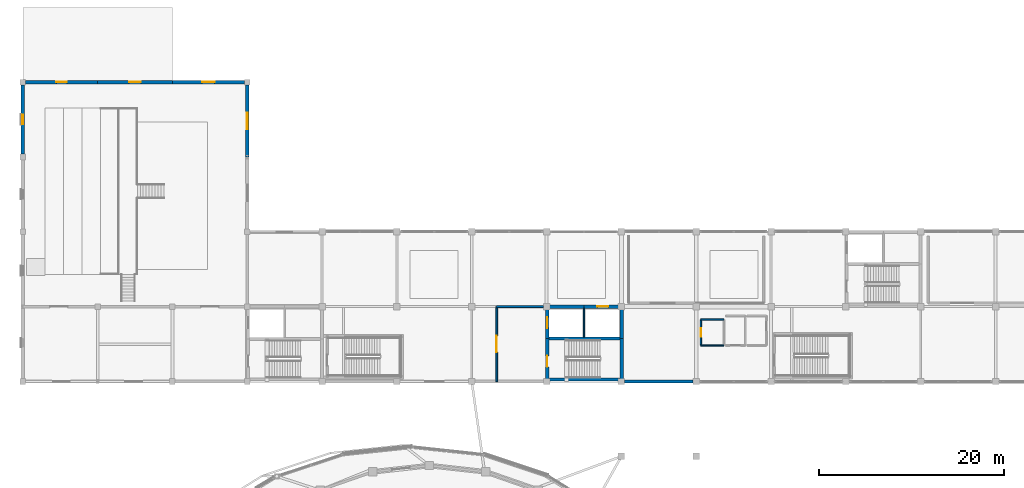
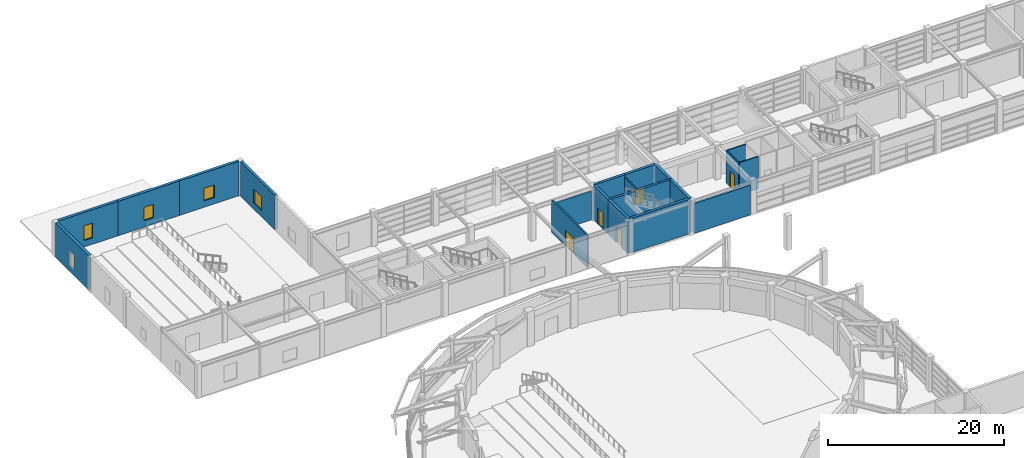
# One storey, part 41 of 56: 20 walls, 5 doors, 5 windows, 10 openings.
"""IFC4 building model written with IfcOpenShell, lengths in metres."""

from ifc_helpers import new_model, si_unit, direction, frame, frame_2d, origin, place, context, subcontext, project, spatial, rectangle, extrude, material, layer, layer_set, type_object, element, fill, save


model = new_model("IFC4")

# Units and contexts
model_context = context("Model", 3, precision=1e-05, world=origin(), true_north=direction((0.0, 1.0)))
body_context = subcontext(model_context, "Body", "Model", "MODEL_VIEW")
ifc_project = project(units=[si_unit("LENGTHUNIT", "METRE"), si_unit("AREAUNIT", "SQUARE_METRE"), si_unit("VOLUMEUNIT", "CUBIC_METRE"), si_unit("PLANEANGLEUNIT", "RADIAN"), si_unit("MASSUNIT", "GRAM", prefix="KILO")], contexts=[model_context])

# Site, building, storey
site_placement = place(None, origin())
site = spatial("IfcSite", under=ifc_project, at=site_placement, CompositionType="ELEMENT")
building_placement = place(site_placement, origin())
building = spatial("IfcBuilding", under=site, at=building_placement, Name="Parian Resonance Hall", CompositionType="ELEMENT")
storey_placement = place(building_placement, frame((0.0, 0.0, 5.39990234375)))
storey = spatial("IfcBuildingStorey", under=building, at=storey_placement, Name="L01", CompositionType="ELEMENT", Elevation=5.39990234375)

# Wall
ifc_material_1 = material(Name="Concrete C40/50", Category="concrete")
ifc_layer_1 = layer(ifc_material_1, 0.31005859375)
ifc_layer_set_1 = layer_set([ifc_layer_1], Name="Concrete C40/50")
wall_type_1 = type_object("IfcWallType", Name="CW310", PredefinedType="SHEAR", material=ifc_layer_set_1)
wall_1_placement = place(storey_placement, frame((56.77001953125, 77.550048828125, 0.0), z_axis=(0.0, 0.0, 1.0), x_axis=(1.0, 0.0, 0.0)))
element("IfcWall", 1, at=wall_1_placement, inside=storey, type_object=wall_type_1, Name="Core K1 stair-lift divider wall L01", PredefinedType="SHEAR", context=body_context, shape_type="SweptSolid", body=[
    extrude(rectangle(XDim=8.06005859375, YDim=0.31005859375, at=frame_2d((4.030029296875, 0.0))), origin(), (0.0, 0.0, 1.0), 4.800048828125),
])

# Wall, opening, door
ifc_material_2 = material(Name="Concrete C40/50", Category="concrete")
ifc_layer_2 = layer(ifc_material_2, 0.35009765625)
ifc_layer_set_2 = layer_set([ifc_layer_2], Name="Concrete C40/50")
wall_type_2 = type_object("IfcWallType", Name="CW350", PredefinedType="SHEAR", material=ifc_layer_set_2)
wall_2_placement = place(storey_placement, frame((56.77001953125, 73.1298828125, 0.0), z_axis=(0.0, 0.0, 1.0), x_axis=(0.0, 1.0, 0.0)))
wall_2 = element("IfcWall", 2, at=wall_2_placement, inside=storey, type_object=wall_type_2, Name="Core K1 stairwell west shear wall L01", PredefinedType="SHEAR", context=body_context, shape_type="SweptSolid", body=[
    extrude(rectangle(XDim=4.420166015625, YDim=0.35009765625, at=frame_2d((2.2099609375, 0.0))), origin(), (0.0, 0.0, 1.0), 4.800048828125),
])
opening_1_placement = place(wall_2_placement, frame((1.35009765625, 0.0, 0.0)))
opening_1 = element("IfcOpeningElement", 3, at=opening_1_placement, cuts=wall_2, Name="Opening FD-01", PredefinedType="OPENING", context=body_context, shape_type="SweptSolid", body=[
    extrude(rectangle(XDim=1.199951171875, YDim=2.25, at=frame_2d((0.60009765625, 1.125))), frame((0.0, 0.18505859375, 0.0), z_axis=(0.0, -1.0, 0.0), x_axis=(1.0, 0.0, 0.0)), (0.0, 0.0, 1.0), 0.3701171875),
])
ifc_material_3 = material(Name="Fire-rated acoustic steel and narra timber door", Category="steel")
door_type_1 = type_object("IfcDoorType", Name="FD-01", OperationType="NOTDEFINED", PredefinedType="DOOR", material=ifc_material_3)
door_1_placement = place(opening_1_placement, origin())
door_1 = element("IfcDoor", 4, at=door_1_placement, inside=storey, type_object=door_type_1, Name="Exit stair ST-01 fire door L01", OperationType="SINGLE_SWING_LEFT", OverallHeight=2.25, OverallWidth=1.199951171875, PredefinedType="DOOR", context=body_context, shape_type="SweptSolid", body=[
    extrude(rectangle(XDim=1.199951171875, YDim=2.25, at=frame_2d((0.60009765625, 1.125))), frame((0.0, 0.02490234375, 0.0), z_axis=(0.0, -1.0, 0.0), x_axis=(1.0, 0.0, 0.0)), (0.0, 0.0, 1.0), 0.050048828125),
])
fill(opening_1, door_1)

wall_3_placement = place(storey_placement, frame((56.77001953125, 77.550048828125, 0.0), z_axis=(0.0, 0.0, 1.0), x_axis=(0.0, 1.0, 0.0)))
wall_3 = element("IfcWall", 5, at=wall_3_placement, inside=storey, type_object=wall_type_2, Name="Core K1 lift shaft west shear wall L01", PredefinedType="SHEAR", context=body_context, shape_type="SweptSolid", body=[
    extrude(rectangle(XDim=3.449951171875, YDim=0.35009765625, at=frame_2d((1.72509765625, 0.0))), origin(), (0.0, 0.0, 1.0), 4.800048828125),
])
opening_2_placement = place(wall_3_placement, frame((1.125, 0.0, 0.0)))
opening_2 = element("IfcOpeningElement", 6, at=opening_2_placement, cuts=wall_3, Name="Opening LD-01", PredefinedType="OPENING", context=body_context, shape_type="SweptSolid", body=[
    extrude(rectangle(XDim=1.199951171875, YDim=2.199951171875, at=frame_2d((0.60009765625, 1.10009765625))), frame((0.0, 0.18505859375, 0.0), z_axis=(0.0, -1.0, 0.0), x_axis=(1.0, 0.0, 0.0)), (0.0, 0.0, 1.0), 0.3701171875),
])
ifc_material_4 = material(Name="Stainless steel and bronze elevator cab", Category="steel")
door_type_2 = type_object("IfcDoorType", Name="DOOR-LIFT-1200x2200", OperationType="SLIDING_TO_LEFT", PredefinedType="DOOR", material=ifc_material_4)
door_2_placement = place(opening_2_placement, origin())
door_2 = element("IfcDoor", 7, at=door_2_placement, inside=storey, type_object=door_type_2, Name="Lift LF-01 sliding landing door L01", OperationType="SLIDING_TO_LEFT", OverallHeight=2.199951171875, OverallWidth=1.199951171875, PredefinedType="DOOR", context=body_context, shape_type="SweptSolid", body=[
    extrude(rectangle(XDim=1.199951171875, YDim=2.199951171875, at=frame_2d((0.60009765625, 1.10009765625))), frame((0.0, 0.02490234375, 0.0), z_axis=(0.0, -1.0, 0.0), x_axis=(1.0, 0.0, 0.0)), (0.0, 0.0, 1.0), 0.050048828125),
])
fill(opening_2, door_2)

# Wall
wall_4_placement = place(storey_placement, frame((56.77001953125, 81.0, 0.0), z_axis=(0.0, 0.0, 1.0), x_axis=(1.0, 0.0, 0.0)))
element("IfcWall", 8, at=wall_4_placement, inside=storey, type_object=wall_type_2, Name="Core K1 north-west shaft wall L01", PredefinedType="SHEAR", context=body_context, shape_type="SweptSolid", body=[
    extrude(rectangle(XDim=3.97998046875, YDim=0.35009765625, at=frame_2d((1.989990234375, 0.0))), origin(), (0.0, 0.0, 1.0), 4.800048828125),
])

# Wall, opening, door
wall_5_placement = place(storey_placement, frame((60.75, 81.0, 0.0), z_axis=(0.0, 0.0, 1.0), x_axis=(1.0, 0.0, 0.0)))
wall_5 = element("IfcWall", 9, at=wall_5_placement, inside=storey, type_object=wall_type_2, Name="Core K1 north-east shaft wall L01", PredefinedType="SHEAR", context=body_context, shape_type="SweptSolid", body=[
    extrude(rectangle(XDim=4.080078125, YDim=0.35009765625, at=frame_2d((2.0400390625, 0.0))), origin(), (0.0, 0.0, 1.0), 4.800048828125),
])
opening_3_placement = place(wall_5_placement, frame((1.43994140625, 0.0, 0.0)))
opening_3 = element("IfcOpeningElement", 10, at=opening_3_placement, cuts=wall_5, Name="Opening LD-01", PredefinedType="OPENING", context=body_context, shape_type="SweptSolid", body=[
    extrude(rectangle(XDim=1.199951171875, YDim=2.199951171875, at=frame_2d((0.60009765625, 1.10009765625))), frame((0.0, 0.18505859375, 0.0), z_axis=(0.0, -1.0, 0.0), x_axis=(1.0, 0.0, 0.0)), (0.0, 0.0, 1.0), 0.3701171875),
])
door_3_placement = place(opening_3_placement, origin())
door_3 = element("IfcDoor", 11, at=door_3_placement, inside=storey, type_object=door_type_2, Name="Lift LF-03 sliding landing door L01", OperationType="SLIDING_TO_LEFT", OverallHeight=2.199951171875, OverallWidth=1.199951171875, PredefinedType="DOOR", context=body_context, shape_type="SweptSolid", body=[
    extrude(rectangle(XDim=1.199951171875, YDim=2.199951171875, at=frame_2d((0.60009765625, 1.10009765625))), frame((0.0, 0.02490234375, 0.0), z_axis=(0.0, -1.0, 0.0), x_axis=(1.0, 0.0, 0.0)), (0.0, 0.0, 1.0), 0.050048828125),
])
fill(opening_3, door_3)

# Walls
wall_6_placement = place(storey_placement, frame((64.830078125, 81.0, 0.0), z_axis=(0.0, 0.0, 1.0), x_axis=(0.0, -1.0, 0.0)))
element("IfcWall", 12, at=wall_6_placement, inside=storey, type_object=wall_type_2, Name="Core K1 east shaft wall L01", PredefinedType="SHEAR", context=body_context, shape_type="SweptSolid", body=[
    extrude(rectangle(XDim=3.449951171875, YDim=0.35009765625, at=frame_2d((1.72509765625, 0.0))), origin(), (0.0, 0.0, 1.0), 4.800048828125),
])
wall_7_placement = place(storey_placement, frame((64.830078125, 77.550048828125, 0.0), z_axis=(0.0, 0.0, 1.0), x_axis=(0.0, -1.0, 0.0)))
element("IfcWall", 13, at=wall_7_placement, inside=storey, type_object=wall_type_2, Name="Core K1 stairwell east wall L01", PredefinedType="SHEAR", context=body_context, shape_type="SweptSolid", body=[
    extrude(rectangle(XDim=4.420166015625, YDim=0.35009765625, at=frame_2d((2.2099609375, 0.0))), origin(), (0.0, 0.0, 1.0), 4.800048828125),
])
wall_8_placement = place(storey_placement, frame((64.830078125, 73.1298828125, 0.0), z_axis=(0.0, 0.0, 1.0), x_axis=(-1.0, 0.0, 0.0)))
element("IfcWall", 14, at=wall_8_placement, inside=storey, type_object=wall_type_2, Name="Core K1 stairwell south wall L01", PredefinedType="SHEAR", context=body_context, shape_type="SweptSolid", body=[
    extrude(rectangle(XDim=8.06005859375, YDim=0.35009765625, at=frame_2d((4.030029296875, 0.0))), origin(), (0.0, 0.0, 1.0), 4.800048828125),
])

# Wall, opening, window
ifc_material_5 = material(Name="Concrete C35/45 with Carcar coral-limestone ashlar", Category="masonry")
ifc_layer_3 = layer(ifc_material_5, 0.340087890625)
ifc_layer_set_3 = layer_set([ifc_layer_3], Name="Concrete C35/45 with Carcar coral-limestone ashlar")
wall_type_3 = type_object("IfcWallType", Name="EW-STONE-340", PredefinedType="SOLIDWALL", material=ifc_layer_set_3)
wall_9_placement = place(storey_placement, frame((24.300048828125, 97.199951171875, 0.0), z_axis=(0.0, 0.0, 1.0), x_axis=(0.0, 1.0, 0.0)))
wall_9 = element("IfcWall", 15, at=wall_9_placement, inside=storey, type_object=wall_type_3, Name="Perimeter closure wall L01", PredefinedType="SOLIDWALL", context=body_context, shape_type="SweptSolid", body=[
    extrude(rectangle(XDim=7.800048828125, YDim=0.340087890625, at=frame_2d((3.89990234375, 0.0))), origin(), (0.0, 0.0, 1.0), 4.800048828125),
])
opening_4_placement = place(wall_9_placement, frame((3.02490234375, 0.0, 0.89990234375)))
opening_4 = element("IfcOpeningElement", 16, at=opening_4_placement, cuts=wall_9, Name="Opening WN-31", PredefinedType="OPENING", context=body_context, shape_type="SweptSolid", body=[
    extrude(rectangle(XDim=1.75, YDim=1.89990234375, at=frame_2d((0.875, 0.949951171875))), frame((0.0, 0.179931640625, 0.0), z_axis=(0.0, -1.0, 0.0), x_axis=(1.0, 0.0, 0.0)), (0.0, 0.0, 1.0), 0.360107421875),
])
ifc_material_6 = material(Name="Acoustic laminated double glazing", Category="glass")
window_type_1 = type_object("IfcWindowType", Name="WIN-1750x1900", PartitioningType="SINGLE_PANEL", PredefinedType="WINDOW", material=ifc_material_6)
window_1_placement = place(opening_4_placement, origin())
window_1 = element("IfcWindow", 17, at=window_1_placement, inside=storey, type_object=window_type_1, Name="Acoustic window L01-0067", OverallHeight=1.89990234375, OverallWidth=1.75, PartitioningType="SINGLE_PANEL", PredefinedType="WINDOW", context=body_context, shape_type="SweptSolid", body=[
    extrude(rectangle(XDim=1.75, YDim=1.89990234375, at=frame_2d((0.875, 0.949951171875))), frame((0.0, 0.030029296875, 0.0), z_axis=(0.0, -1.0, 0.0), x_axis=(1.0, 0.0, 0.0)), (0.0, 0.0, 1.0), 0.06005859375),
])
fill(opening_4, window_1)

# Wall
wall_10_placement = place(storey_placement, frame((65.14990234375, 72.89990234375, 0.0), z_axis=(0.0, 0.0, 1.0), x_axis=(1.0, 0.0, 0.0)))
element("IfcWall", 18, at=wall_10_placement, inside=storey, type_object=wall_type_3, Name="Perimeter closure wall L01", PredefinedType="SOLIDWALL", context=body_context, shape_type="SweptSolid", body=[
    extrude(rectangle(XDim=7.400146484375, YDim=0.340087890625, at=frame_2d((3.7001953125, 0.0))), origin(), (0.0, 0.0, 1.0), 4.13720703125),
])

# Wall, opening, window
ifc_material_7 = material(Name="Concrete C35/45 with Carcar coral-limestone ashlar", Category="masonry")
ifc_layer_4 = layer(ifc_material_7, 0.360107421875)
ifc_layer_set_4 = layer_set([ifc_layer_4], Name="Concrete C35/45 with Carcar coral-limestone ashlar")
wall_type_4 = type_object("IfcWallType", Name="EW-STONE-360", PredefinedType="SOLIDWALL", material=ifc_layer_set_4)
wall_11_placement = place(storey_placement, frame((0.0, 97.5, 0.0), z_axis=(0.0, 0.0, 1.0), x_axis=(0.0, 1.0, 0.0)))
wall_11 = element("IfcWall", 19, at=wall_11_placement, inside=storey, type_object=wall_type_4, Name="Exterior wall EW-L01-0114", PredefinedType="SOLIDWALL", context=body_context, shape_type="SweptSolid", body=[
    extrude(rectangle(XDim=7.5, YDim=0.360107421875, at=frame_2d((3.75, 0.0))), origin(), (0.0, 0.0, 1.0), 4.800048828125),
])
opening_5_placement = place(wall_11_placement, frame((3.22509765625, 0.0, 0.89990234375)))
opening_5 = element("IfcOpeningElement", 20, at=opening_5_placement, cuts=wall_11, Name="Opening WN-09", PredefinedType="OPENING", context=body_context, shape_type="SweptSolid", body=[
    extrude(rectangle(XDim=1.050048828125, YDim=1.949951171875, at=frame_2d((0.52490234375, 0.97509765625))), frame((0.0, 0.18994140625, 0.0), z_axis=(0.0, -1.0, 0.0), x_axis=(1.0, 0.0, 0.0)), (0.0, 0.0, 1.0), 0.380126953125),
])
ifc_material_8 = material(Name="Acoustic laminated double glazing", Category="glass")
window_type_2 = type_object("IfcWindowType", Name="WIN-1050x1950", PartitioningType="SINGLE_PANEL", PredefinedType="WINDOW", material=ifc_material_8)
window_2_placement = place(opening_5_placement, origin())
window_2 = element("IfcWindow", 21, at=window_2_placement, inside=storey, type_object=window_type_2, Name="Acoustic window L01-0008", OverallHeight=1.949951171875, OverallWidth=1.050048828125, PartitioningType="SINGLE_PANEL", PredefinedType="WINDOW", context=body_context, shape_type="SweptSolid", body=[
    extrude(rectangle(XDim=1.050048828125, YDim=1.949951171875, at=frame_2d((0.52490234375, 0.97509765625))), frame((0.0, 0.030029296875, 0.0), z_axis=(0.0, -1.0, 0.0), x_axis=(1.0, 0.0, 0.0)), (0.0, 0.0, 1.0), 0.06005859375),
])
fill(opening_5, window_2)

wall_12_placement = place(storey_placement, frame((0.300048828125, 105.300048828125, 0.0), z_axis=(0.0, 0.0, 1.0), x_axis=(1.0, 0.0, 0.0)))
wall_12 = element("IfcWall", 22, at=wall_12_placement, inside=storey, type_object=wall_type_4, Name="Exterior wall EW-L01-0117", PredefinedType="SOLIDWALL", context=body_context, shape_type="SweptSolid", body=[
    extrude(rectangle(XDim=7.800048828125, YDim=0.360107421875, at=frame_2d((3.89990234375, 0.0))), origin(), (0.0, 0.0, 1.0), 4.800048828125),
])
opening_6_placement = place(wall_12_placement, frame((3.324951171875, 0.0, 0.89990234375)))
opening_6 = element("IfcOpeningElement", 23, at=opening_6_placement, cuts=wall_12, Name="Opening WN-12", PredefinedType="OPENING", context=body_context, shape_type="SweptSolid", body=[
    extrude(rectangle(XDim=1.14990234375, YDim=2.050048828125, at=frame_2d((0.574951171875, 1.02490234375))), frame((0.0, 0.18994140625, 0.0), z_axis=(0.0, -1.0, 0.0), x_axis=(1.0, 0.0, 0.0)), (0.0, 0.0, 1.0), 0.380126953125),
])
ifc_material_9 = material(Name="Acoustic laminated double glazing", Category="glass")
window_type_3 = type_object("IfcWindowType", Name="WIN-1150x2050", PartitioningType="SINGLE_PANEL", PredefinedType="WINDOW", material=ifc_material_9)
window_3_placement = place(opening_6_placement, origin())
window_3 = element("IfcWindow", 24, at=window_3_placement, inside=storey, type_object=window_type_3, Name="Acoustic window L01-0011", OverallHeight=2.050048828125, OverallWidth=1.14990234375, PartitioningType="SINGLE_PANEL", PredefinedType="WINDOW", context=body_context, shape_type="SweptSolid", body=[
    extrude(rectangle(XDim=1.14990234375, YDim=2.050048828125, at=frame_2d((0.574951171875, 1.02490234375))), frame((0.0, 0.030029296875, 0.0), z_axis=(0.0, -1.0, 0.0), x_axis=(1.0, 0.0, 0.0)), (0.0, 0.0, 1.0), 0.06005859375),
])
fill(opening_6, window_3)

wall_13_placement = place(storey_placement, frame((8.10009765625, 105.300048828125, 0.0), z_axis=(0.0, 0.0, 1.0), x_axis=(1.0, 0.0, 0.0)))
wall_13 = element("IfcWall", 25, at=wall_13_placement, inside=storey, type_object=wall_type_4, Name="Exterior wall EW-L01-0120", PredefinedType="SOLIDWALL", context=body_context, shape_type="SweptSolid", body=[
    extrude(rectangle(XDim=8.099853515625, YDim=0.360107421875, at=frame_2d((4.0498046875, 0.0))), origin(), (0.0, 0.0, 1.0), 4.800048828125),
])
opening_7_placement = place(wall_13_placement, frame((3.425048828125, 0.0, 0.89990234375)))
opening_7 = element("IfcOpeningElement", 26, at=opening_7_placement, cuts=wall_13, Name="Opening WN-15", PredefinedType="OPENING", context=body_context, shape_type="SweptSolid", body=[
    extrude(rectangle(XDim=1.25, YDim=1.85009765625, at=frame_2d((0.625, 0.925048828125))), frame((0.0, 0.18994140625, 0.0), z_axis=(0.0, -1.0, 0.0), x_axis=(1.0, 0.0, 0.0)), (0.0, 0.0, 1.0), 0.380126953125),
])
ifc_material_10 = material(Name="Acoustic laminated double glazing", Category="glass")
window_type_4 = type_object("IfcWindowType", Name="WIN-1250x1850", PartitioningType="SINGLE_PANEL", PredefinedType="WINDOW", material=ifc_material_10)
window_4_placement = place(opening_7_placement, origin())
window_4 = element("IfcWindow", 27, at=window_4_placement, inside=storey, type_object=window_type_4, Name="Acoustic window L01-0014", OverallHeight=1.85009765625, OverallWidth=1.25, PartitioningType="SINGLE_PANEL", PredefinedType="WINDOW", context=body_context, shape_type="SweptSolid", body=[
    extrude(rectangle(XDim=1.25, YDim=1.85009765625, at=frame_2d((0.625, 0.925048828125))), frame((0.0, 0.030029296875, 0.0), z_axis=(0.0, -1.0, 0.0), x_axis=(1.0, 0.0, 0.0)), (0.0, 0.0, 1.0), 0.06005859375),
])
fill(opening_7, window_4)

wall_14_placement = place(storey_placement, frame((16.199951171875, 105.300048828125, 0.0), z_axis=(0.0, 0.0, 1.0), x_axis=(1.0, 0.0, 0.0)))
wall_14 = element("IfcWall", 28, at=wall_14_placement, inside=storey, type_object=wall_type_4, Name="Exterior wall EW-L01-0123", PredefinedType="SOLIDWALL", context=body_context, shape_type="SweptSolid", body=[
    extrude(rectangle(XDim=7.800048828125, YDim=0.360107421875, at=frame_2d((3.89990234375, 0.0))), origin(), (0.0, 0.0, 1.0), 4.800048828125),
])
opening_8_placement = place(wall_14_placement, frame((3.22509765625, 0.0, 0.89990234375)))
opening_8 = element("IfcOpeningElement", 29, at=opening_8_placement, cuts=wall_14, Name="Opening WN-18", PredefinedType="OPENING", context=body_context, shape_type="SweptSolid", body=[
    extrude(rectangle(XDim=1.35009765625, YDim=1.75, at=frame_2d((0.675048828125, 0.875))), frame((0.0, 0.18994140625, 0.0), z_axis=(0.0, -1.0, 0.0), x_axis=(1.0, 0.0, 0.0)), (0.0, 0.0, 1.0), 0.380126953125),
])
ifc_material_11 = material(Name="Acoustic laminated double glazing", Category="glass")
window_type_5 = type_object("IfcWindowType", Name="WIN-1350x1750", PartitioningType="SINGLE_PANEL", PredefinedType="WINDOW", material=ifc_material_11)
window_5_placement = place(opening_8_placement, origin())
window_5 = element("IfcWindow", 30, at=window_5_placement, inside=storey, type_object=window_type_5, Name="Acoustic window L01-0017", OverallHeight=1.75, OverallWidth=1.35009765625, PartitioningType="SINGLE_PANEL", PredefinedType="WINDOW", context=body_context, shape_type="SweptSolid", body=[
    extrude(rectangle(XDim=1.35009765625, YDim=1.75, at=frame_2d((0.675048828125, 0.875))), frame((0.0, 0.030029296875, 0.0), z_axis=(0.0, -1.0, 0.0), x_axis=(1.0, 0.0, 0.0)), (0.0, 0.0, 1.0), 0.06005859375),
])
fill(opening_8, window_5)

# Wall, opening, door
ifc_material_12 = material(Name="Concrete C35/45 fire barrier", Category="concrete")
ifc_layer_5 = layer(ifc_material_12, 0.199951171875)
ifc_layer_set_5 = layer_set([ifc_layer_5], Name="Concrete C35/45 fire barrier")
wall_type_5 = type_object("IfcWallType", Name="FW200", PredefinedType="PARTITIONING", material=ifc_layer_set_5)
wall_15_placement = place(storey_placement, frame((51.300048828125, 72.89990234375, 0.0), z_axis=(0.0, 0.0, 1.0), x_axis=(0.0, 1.0, 0.0)))
wall_15 = element("IfcWall", 31, at=wall_15_placement, inside=storey, type_object=wall_type_5, Name="Firefighting lift lobby K1 west fire barrier L01", PredefinedType="PARTITIONING", context=body_context, shape_type="SweptSolid", body=[
    extrude(rectangle(XDim=8.10009765625, YDim=0.199951171875, at=frame_2d((4.050048828125, 0.0))), origin(), (0.0, 0.0, 1.0), 4.5),
])
opening_9_placement = place(wall_15_placement, frame((3.14990234375, 0.0, 0.0)))
opening_9 = element("IfcOpeningElement", 32, at=opening_9_placement, cuts=wall_15, Name="Opening FD-02", PredefinedType="OPENING", context=body_context, shape_type="SweptSolid", body=[
    extrude(rectangle(XDim=1.800048828125, YDim=2.25, at=frame_2d((0.89990234375, 1.125))), frame((0.0, 0.10986328125, 0.0), z_axis=(0.0, -1.0, 0.0), x_axis=(1.0, 0.0, 0.0)), (0.0, 0.0, 1.0), 0.219970703125),
])
ifc_material_13 = material(Name="Fire-rated acoustic steel and narra timber door", Category="steel")
door_type_3 = type_object("IfcDoorType", Name="FD-02", OperationType="NOTDEFINED", PredefinedType="DOOR", material=ifc_material_13)
door_4_placement = place(opening_9_placement, origin())
door_4 = element("IfcDoor", 33, at=door_4_placement, inside=storey, type_object=door_type_3, Name="Firefighting lift lobby K1 smoke-seal fire door L01", OperationType="DOUBLE_DOOR_SINGLE_SWING", OverallHeight=2.25, OverallWidth=1.800048828125, PredefinedType="DOOR", context=body_context, shape_type="SweptSolid", body=[
    extrude(rectangle(XDim=1.800048828125, YDim=2.25, at=frame_2d((0.89990234375, 1.125))), frame((0.0, 0.02490234375, 0.0), z_axis=(0.0, -1.0, 0.0), x_axis=(1.0, 0.0, 0.0)), (0.0, 0.0, 1.0), 0.050048828125),
])
fill(opening_9, door_4)

# Walls
wall_16_placement = place(storey_placement, frame((51.300048828125, 81.0, 0.0), z_axis=(0.0, 0.0, 1.0), x_axis=(1.0, 0.0, 0.0)))
element("IfcWall", 34, at=wall_16_placement, inside=storey, type_object=wall_type_5, Name="Firefighting lift lobby K1 N fire barrier L01", PredefinedType="PARTITIONING", context=body_context, shape_type="SweptSolid", body=[
    extrude(rectangle(XDim=5.050048828125, YDim=0.199951171875, at=frame_2d((2.52490234375, 0.0))), origin(), (0.0, 0.0, 1.0), 4.02099609375),
])
ifc_material_14 = material(Name="Concrete C35/45 acoustic plumbing chase wall", Category="concrete")
ifc_layer_6 = layer(ifc_material_14, 0.14990234375)
ifc_layer_set_6 = layer_set([ifc_layer_6], Name="Concrete C35/45 acoustic plumbing chase wall")
wall_type_6 = type_object("IfcWallType", Name="PW150", PredefinedType="PLUMBINGWALL", material=ifc_layer_set_6)
wall_17_placement = place(storey_placement, frame((60.75, 77.7099609375, 0.0), z_axis=(0.0, 0.0, 1.0), x_axis=(0.0, 1.0, 0.0)))
element("IfcWall", 35, at=wall_17_placement, inside=storey, type_object=wall_type_6, Name="Core K1 shaft plumbing/riser divider L01", PredefinedType="PLUMBINGWALL", context=body_context, shape_type="SweptSolid", body=[
    extrude(rectangle(XDim=3.130126953125, YDim=0.14990234375, at=frame_2d((1.56494140625, 0.0))), origin(), (0.0, 0.0, 1.0), 4.4501953125),
])
wall_18_placement = place(storey_placement, frame((75.89990234375, 76.800048828125, 0.0), z_axis=(0.0, 0.0, 1.0), x_axis=(-1.0, 0.0, 0.0)))
element("IfcWall", 36, at=wall_18_placement, inside=storey, type_object=wall_type_6, Name="Interior acoustic partition IW-L01-0111", PredefinedType="PLUMBINGWALL", context=body_context, shape_type="SweptSolid", body=[
    extrude(rectangle(XDim=2.5, YDim=0.14990234375, at=frame_2d((1.25, 0.0))), origin(), (0.0, 0.0, 1.0), 4.52001953125),
])

# Wall, opening, door
wall_19_placement = place(storey_placement, frame((73.39990234375, 76.800048828125, 0.0), z_axis=(0.0, 0.0, 1.0), x_axis=(0.0, 1.0, 0.0)))
wall_19 = element("IfcWall", 37, at=wall_19_placement, inside=storey, type_object=wall_type_6, Name="Interior acoustic partition IW-L01-0112", PredefinedType="PLUMBINGWALL", context=body_context, shape_type="SweptSolid", body=[
    extrude(rectangle(XDim=2.800048828125, YDim=0.14990234375, at=frame_2d((1.39990234375, 0.0))), origin(), (0.0, 0.0, 1.0), 4.52001953125),
])
opening_10_placement = place(wall_19_placement, frame((0.919921875, 0.0, 0.0)))
opening_10 = element("IfcOpeningElement", 38, at=opening_10_placement, cuts=wall_19, Name="Opening ID-21", PredefinedType="OPENING", context=body_context, shape_type="SweptSolid", body=[
    extrude(rectangle(XDim=0.9599609375, YDim=2.159912109375, at=frame_2d((0.47998046875, 1.080078125))), frame((0.0, 0.0849609375, 0.0), z_axis=(0.0, -1.0, 0.0), x_axis=(1.0, 0.0, 0.0)), (0.0, 0.0, 1.0), 0.169921875),
])
ifc_material_15 = material(Name="Philippine narra acoustic timber door", Category="wood")
door_type_4 = type_object("IfcDoorType", Name="ID-AWC-0960x2160", OperationType="NOTDEFINED", PredefinedType="DOOR", material=ifc_material_15)
door_5_placement = place(opening_10_placement, origin())
door_5 = element("IfcDoor", 39, at=door_5_placement, inside=storey, type_object=door_type_4, Name="Accessible WC W1 door", OperationType="SINGLE_SWING_RIGHT", OverallHeight=2.159912109375, OverallWidth=0.9599609375, PredefinedType="DOOR", context=body_context, shape_type="SweptSolid", body=[
    extrude(rectangle(XDim=0.9599609375, YDim=2.159912109375, at=frame_2d((0.47998046875, 1.080078125))), frame((0.0, 0.02490234375, 0.0), z_axis=(0.0, -1.0, 0.0), x_axis=(1.0, 0.0, 0.0)), (0.0, 0.0, 1.0), 0.050048828125),
])
fill(opening_10, door_5)

# Wall
wall_20_placement = place(storey_placement, frame((73.39990234375, 79.60009765625, 0.0), z_axis=(0.0, 0.0, 1.0), x_axis=(1.0, 0.0, 0.0)))
element("IfcWall", 40, at=wall_20_placement, inside=storey, type_object=wall_type_6, Name="Interior acoustic partition IW-L01-0113", PredefinedType="PLUMBINGWALL", context=body_context, shape_type="SweptSolid", body=[
    extrude(rectangle(XDim=2.5, YDim=0.14990234375, at=frame_2d((1.25, 0.0))), origin(), (0.0, 0.0, 1.0), 4.52001953125),
])

save(model, "model.ifc")
